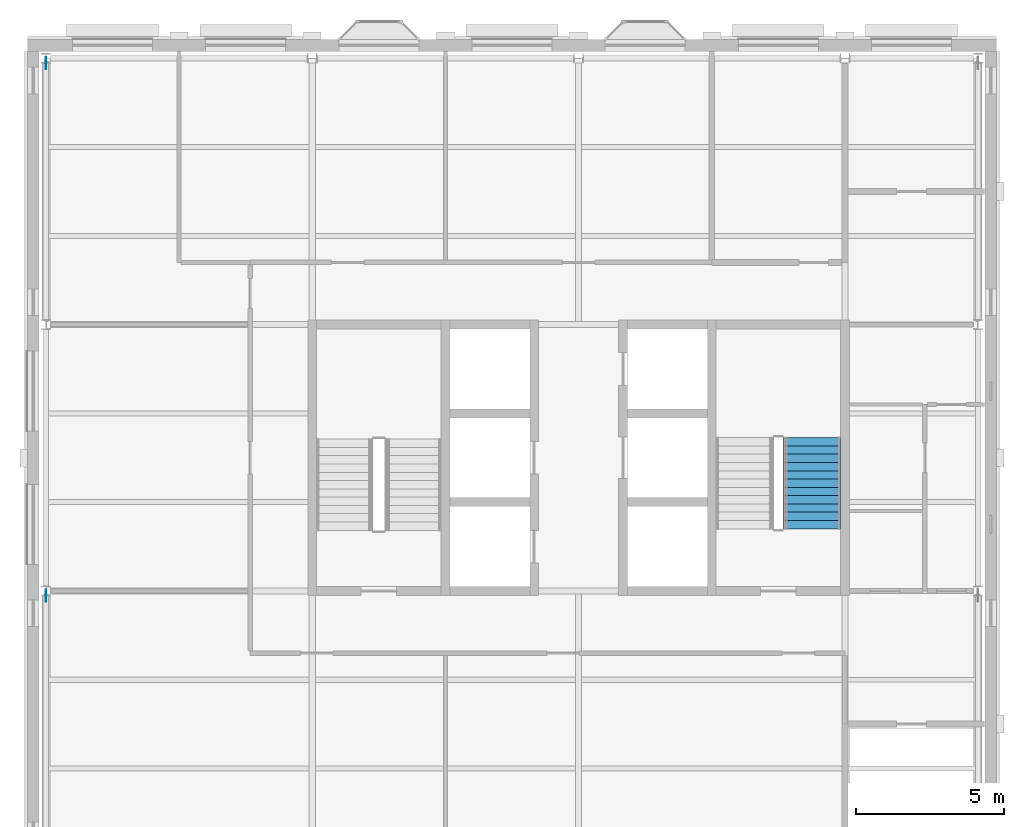
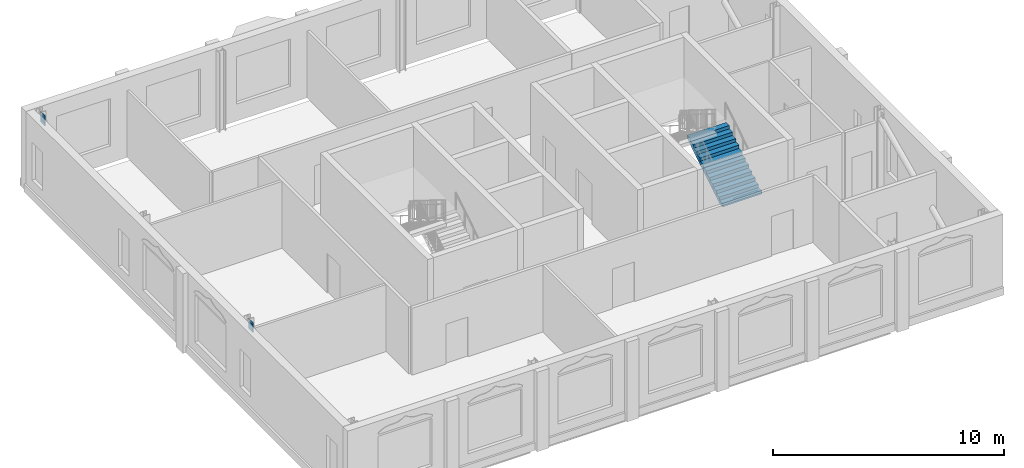
# One storey, part 6 of 9: 4 discrete accessories, 1 stair flight, 1 element without a shape of its own.
"""IFC4 building model written with IfcOpenShell, lengths in metres."""

from ifc_helpers import new_model, si_unit, direction, frame, origin, origin_2d, place, context, subcontext, project, spatial, polyline, rectangle, outline, extrude, material, layer, layer_set, type_object, element, aggregate, save


model = new_model("IFC4")

# Units and contexts
model_context = context("Model", 3, precision=1e-05, world=origin(), true_north=direction((0.0, 1.0)))
body_context = subcontext(model_context, "Body", "Model", "MODEL_VIEW")
ifc_project = project(units=[si_unit("LENGTHUNIT", "METRE"), si_unit("AREAUNIT", "SQUARE_METRE"), si_unit("VOLUMEUNIT", "CUBIC_METRE"), si_unit("PLANEANGLEUNIT", "RADIAN"), si_unit("MASSUNIT", "GRAM", prefix="KILO")], contexts=[model_context])

# Site, building, storey
site_placement = place(None, origin())
site = spatial("IfcSite", under=ifc_project, at=site_placement, CompositionType="ELEMENT")
building_placement = place(site_placement, origin())
building = spatial("IfcBuilding", under=site, at=building_placement, Name="Hortulan Conservatory and Botanical Research Centre", CompositionType="ELEMENT")
storey_placement = place(building_placement, frame((0.0, 0.0, 31.800048828125)))
storey = spatial("IfcBuildingStorey", under=building, at=storey_placement, Name="L07", CompositionType="ELEMENT", Elevation=31.800048828125)

# Stair, stair flight
ifc_material_1 = material(Name="Concrete N40 (40 MPa, AS 3600)", Category="concrete")
stair_type = type_object("IfcStairType", Name="Concrete Escape Stair 1950", PredefinedType="HALF_TURN_STAIR", material=ifc_material_1)
stair_placement = place(storey_placement, origin())
stair = element("IfcStair", 1, at=stair_placement, inside=storey, type_object=stair_type, Name="Stair T2 L07", PredefinedType="HALF_TURN_STAIR")
ifc_layer = layer(ifc_material_1, 0.14990234375)
ifc_layer_set = layer_set([ifc_layer], Name="Stair Flight 1950 wide, riser 175")
stair_flight_type = type_object("IfcStairFlightType", Name="Stair Flight 1950 wide, riser 175", PredefinedType="STRAIGHT", material=ifc_layer_set)
stair_flight_placement = place(storey_placement, frame((25.875, 11.10009765625, 0.0), z_axis=(0.0, 0.0, 1.0), x_axis=(0.0, 1.0, 0.0)))
stair_flight = element("IfcStairFlight", 2, at=stair_flight_placement, type_object=stair_flight_type, Name="Stair T2 L07 flight 1", NumberOfRisers=12, NumberOfTreads=11, PredefinedType="STRAIGHT", RiserHeight=0.175, TreadLength=0.28, context=body_context, shape_type="SweptSolid", body=[
    extrude(outline(polyline([(0.0, 0.0), (0.0, 0.175048828125), (0.280029296875, 0.175048828125), (0.280029296875, 0.35009765625), (0.56005859375, 0.35009765625), (0.56005859375, 0.52490234375), (0.840087890625, 0.52490234375), (0.840087890625, 0.699951171875), (1.1201171875, 0.699951171875), (1.1201171875, 0.875), (1.39990234375, 0.875), (1.39990234375, 1.050048828125), (1.679931640625, 1.050048828125), (1.679931640625, 1.22509765625), (1.9599609375, 1.22509765625), (1.9599609375, 1.39990234375), (2.239990234375, 1.39990234375), (2.239990234375, 1.574951171875), (2.52001953125, 1.574951171875), (2.52001953125, 1.75), (2.800048828125, 1.75), (2.800048828125, 1.925048828125), (3.080078125, 1.925048828125), (3.080078125, 2.10009765625), (3.080078125, 1.748291015625), (0.28271484375, 0.0), (0.0, 0.0)])), frame((0.0, 0.97509765625, 0.0), z_axis=(0.0, -1.0, 0.0), x_axis=(1.0, 0.0, 0.0)), (0.0, 0.0, 1.0), 1.949951171875),
])
aggregate(stair, [stair_flight])

# Discrete accessories
ifc_material_2 = material(Name="Steel Grade 300 plate (AS/NZS 3678, 280 MPa minimum yield)", Category="steel")
discrete_accessory_type = type_object("IfcDiscreteAccessoryType", Name="End Plate 400x16", PredefinedType="BRACKET", material=ifc_material_2)
for number, where, z_axis, x_axis, name in (
    (3, (0.0, 8.83642578125, 3.563720703125), (0.0, 0.0, 1.0), (0.0, -1.0, 0.0), "Brace end plate"),
    (4, (0.0, 8.83642578125, 3.71630859375), (0.0, 0.0, 1.0), (0.0, -1.0, 0.0), "Brace end plate"),
    (5, (0.0, 26.83642578125, 3.563720703125), (0.0, 0.0, 1.0), (0.0, -1.0, 0.0), "Brace end plate"),
    (6, (0.0, 26.83642578125, 3.71630859375), (0.0, 0.0, 1.0), (0.0, -1.0, 0.0), "Brace end plate"),
):
    element("IfcDiscreteAccessory", number, at=place(storey_placement, frame(where, z_axis=z_axis, x_axis=x_axis)), inside=storey, type_object=discrete_accessory_type, Name=name, PredefinedType="BRACKET", context=body_context, shape_type="SweptSolid", body=[
        extrude(rectangle(XDim=0.39990234375, YDim=0.01611328125, at=origin_2d()), origin(), (0.0, 0.0, 1.0), 0.39990234375),
    ])

save(model, "model.ifc")
